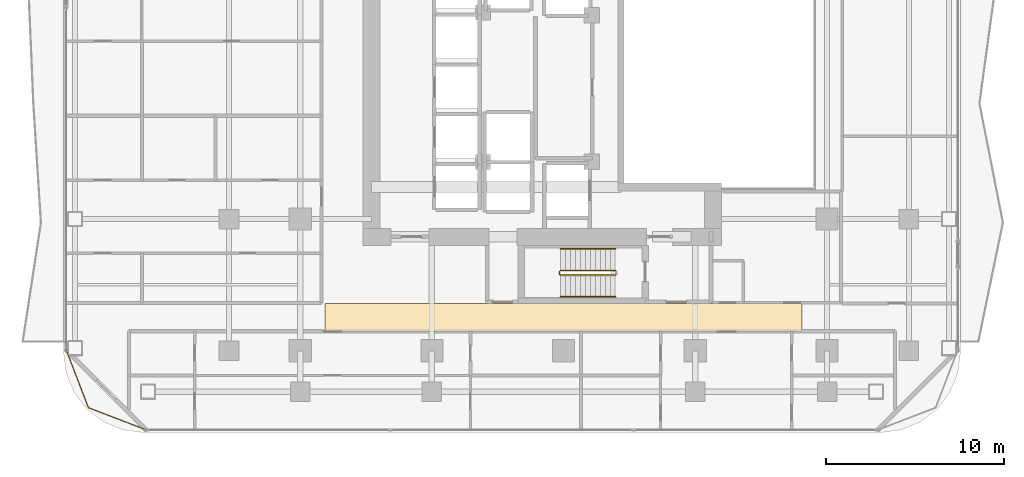
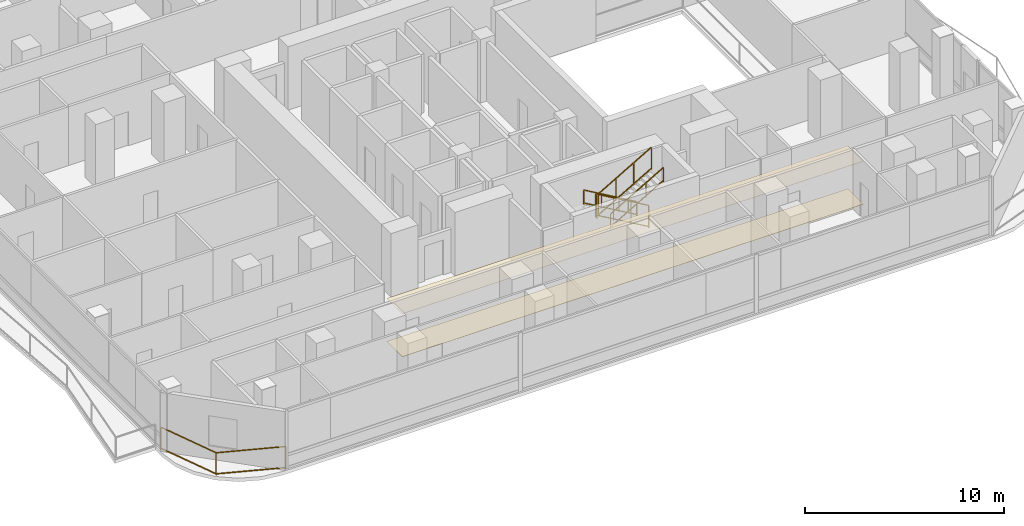
# One storey, part 25 of 28: 6 railings, 2 coverings.
"""IFC4 building model written with IfcOpenShell, lengths in metres."""

import ifcopenshell
import ifcopenshell.guid

model = None  # the IFC model being written
_history = None  # IfcOwnerHistory: only IFC2X3 demands one
_inside = {}  # id of a spatial element -> (the spatial element, [elements in it])
_under = {}  # id of a project, library or spatial element -> (it, [spatial elements below it])
_declared = {}  # id of a project -> (the project, [libraries it declares])
_typed = {}  # id of a type object -> (the type object, [elements of that type])
_made_of = {}  # id of a material, layer set ... -> (it, [elements and type objects made of it])


def new_model(schema):
    """Start an empty IFC model of exactly this schema.

    Asked for "IFC4X3", IfcOpenShell would pick the latest addendum, in which some entities
    have other attributes; the version numbers below select the first issue.
    IFC2X3 requires an IfcOwnerHistory on every rooted entity: one is made here for all.
    """
    global model, _history
    if schema == "IFC4X3":
        model = ifcopenshell.file(schema_version=(4, 3, 0, 0))
    else:
        model = ifcopenshell.file(schema=schema)
    _inside.clear()
    _under.clear()
    _declared.clear()
    _typed.clear()
    _made_of.clear()
    _history = None
    if model.schema == "IFC2X3":
        org = make("IfcOrganization", Name="unknown")
        user = make(
            "IfcPersonAndOrganization",
            ThePerson=make("IfcPerson", FamilyName="unknown"),
            TheOrganization=org,
        )
        app = make(
            "IfcApplication",
            ApplicationDeveloper=org,
            Version="unknown",
            ApplicationFullName="unknown",
            ApplicationIdentifier="unknown",
        )
        _history = make(
            "IfcOwnerHistory",
            OwningUser=user,
            OwningApplication=app,
            ChangeAction="ADDED",
            CreationDate=0,
        )
    return model


def make(cls, **values):
    """One entity of the class cls with the attributes given. An attribute that is None is left unset."""
    return model.create_entity(
        cls, **{name: value for name, value in values.items() if value is not None}
    )


def rooted(cls, **values):
    """An entity with a GlobalId (a new one), such as an element, a storey or a relation."""
    return make(cls, GlobalId=ifcopenshell.guid.new(), OwnerHistory=_history, **values)


def si_unit(unit_type, name, prefix=None):
    """IfcSIUnit, for example si_unit("LENGTHUNIT", "METRE", prefix="MILLI")."""
    return make("IfcSIUnit", UnitType=unit_type, Prefix=prefix, Name=name)


def assignment(units):
    """IfcUnitAssignment: the units of a project."""
    return None if units is None else make("IfcUnitAssignment", Units=units)


def point(xyz):
    """IfcCartesianPoint."""
    return None if xyz is None else make("IfcCartesianPoint", Coordinates=xyz)


def direction(xyz):
    """IfcDirection."""
    return None if xyz is None else make("IfcDirection", DirectionRatios=xyz)


def frame(location, z_axis=None, x_axis=None):
    """IfcAxis2Placement3D, a coordinate frame: its origin and axes. An axis left out is left unset."""
    return make(
        "IfcAxis2Placement3D",
        Location=point(location),
        Axis=direction(z_axis),
        RefDirection=direction(x_axis),
    )


def frame_2d(location, x_axis=None):
    """IfcAxis2Placement2D, a coordinate frame in the plane: its origin and x axis."""
    return make(
        "IfcAxis2Placement2D", Location=point(location), RefDirection=direction(x_axis)
    )


def origin():
    """The frame at (0, 0, 0) with its axes left unset."""
    return frame((0.0, 0.0, 0.0))


def origin_2d():
    """The frame at (0, 0) in the plane with its x axis left unset."""
    return frame_2d((0.0, 0.0))


def place(relative_to, where):
    """IfcLocalPlacement: puts the frame where relative to a parent placement (None: the world)."""
    return make(
        "IfcLocalPlacement", PlacementRelTo=relative_to, RelativePlacement=where
    )


def context(
    kind, dimensions, precision=None, world=None, true_north=None, identifier=None
):
    """IfcGeometricRepresentationContext, for example the 3D "Model" context."""
    return make(
        "IfcGeometricRepresentationContext",
        ContextIdentifier=identifier,
        ContextType=kind,
        CoordinateSpaceDimension=dimensions,
        Precision=precision,
        WorldCoordinateSystem=world,
        TrueNorth=true_north,
    )


def subcontext(parent, identifier, kind, view, scale=None):
    """IfcGeometricRepresentationSubContext, for example "Body" below "Model"."""
    return make(
        "IfcGeometricRepresentationSubContext",
        ContextIdentifier=identifier,
        ContextType=kind,
        ParentContext=parent,
        TargetScale=scale,
        TargetView=view,
    )


def project(units=None, contexts=None):
    """IfcProject with its units and contexts."""
    return rooted(
        "IfcProject",
        Name="project",
        RepresentationContexts=contexts,
        UnitsInContext=assignment(units),
    )


def spatial(cls, under=None, at=None, **own):
    """A site, building, storey or space (cls), placed at a placement, below another one or the project."""
    s = rooted(cls, ObjectPlacement=at, **own)
    if under is not None:
        _under.setdefault(under.id(), (under, []))[1].append(s)
    return s


def polyline(points):
    """IfcPolyline through the points."""
    return make("IfcPolyline", Points=[point(p) for p in points])


def profile(cls, at=None, kind="AREA", **sizes):
    """A parametric profile (cls). Its sizes go by their IFC names, for example OverallWidth=200.0."""
    return make(cls, ProfileType=kind, Position=at, **sizes)


def rectangle(**sizes):
    """IfcRectangleProfileDef."""
    return profile("IfcRectangleProfileDef", **sizes)


def outline(outer, holes=None, kind="AREA"):
    """IfcArbitraryClosedProfileDef: a profile drawn as a closed curve; with holes, ...WithVoids."""
    if holes is None:
        return make("IfcArbitraryClosedProfileDef", ProfileType=kind, OuterCurve=outer)
    return make(
        "IfcArbitraryProfileDefWithVoids",
        ProfileType=kind,
        OuterCurve=outer,
        InnerCurves=holes,
    )


def extrude(swept, where, along, depth):
    """IfcExtrudedAreaSolid: the profile swept, set in the frame where, extruded along a direction by depth."""
    return make(
        "IfcExtrudedAreaSolid",
        SweptArea=swept,
        Position=where,
        ExtrudedDirection=direction(along),
        Depth=depth,
    )


def shape(context_of_items, identifier, shape_type, items):
    """IfcShapeRepresentation: the items that make up one representation, for example the "Body"."""
    return make(
        "IfcShapeRepresentation",
        ContextOfItems=context_of_items,
        RepresentationIdentifier=identifier,
        RepresentationType=shape_type,
        Items=items,
    )


def material(Name=None, Category=None):
    """IfcMaterial."""
    return make("IfcMaterial", Name=Name, Category=Category)


def layer(
    of_material, thickness, ventilated=None, Name=None, Category=None, Priority=None
):
    """IfcMaterialLayer: one layer of a wall or slab, of a material (None: an air gap)."""
    return make(
        "IfcMaterialLayer",
        Material=of_material,
        LayerThickness=thickness,
        IsVentilated=ventilated,
        Name=Name,
        Category=Category,
        Priority=Priority,
    )


def layer_set(layers, Name=None):
    """IfcMaterialLayerSet."""
    return make("IfcMaterialLayerSet", MaterialLayers=layers, LayerSetName=Name)


def made_of(thing, what):
    """Note that an element or type object is made of a material, layer set ...; save() writes the relation."""
    if what is not None:
        _made_of.setdefault(what.id(), (what, []))[1].append(thing)
    return thing


def type_object(cls, material=None, **own):
    """A type object (cls), such as IfcWallType, which elements share."""
    return made_of(rooted(cls, **own), material)


def element(
    cls,
    number,
    at=None,
    inside=None,
    cuts=None,
    type_object=None,
    material=None,
    context=None,
    identifier="Body",
    shape_type=None,
    held_by="IfcProductDefinitionShape",
    body=None,
    shapes=None,
    **own,
):
    """One element of the class cls, such as IfcWall. Its Tag is "e" and its number.

    at: its placement. inside: the storey or other place that contains it. cuts: it is an
    opening in that element (IfcRelVoidsElement). A single representation is given by context,
    identifier, shape_type and body (its items); several are given by shapes. held_by: the class
    of the entity that holds the representations. save() writes the other relations.
    """
    e = rooted(cls, Tag="e%d" % number, ObjectPlacement=at, **own)
    if body is not None:
        shapes = [shape(context, identifier, shape_type, body)]
    if shapes is not None:
        e.Representation = make(held_by, Representations=shapes)
    if inside is not None:
        _inside.setdefault(inside.id(), (inside, []))[1].append(e)
    if cuts is not None:
        rooted(
            "IfcRelVoidsElement", RelatingBuildingElement=cuts, RelatedOpeningElement=e
        )
    if type_object is not None:
        _typed.setdefault(type_object.id(), (type_object, []))[1].append(e)
    return made_of(e, material)


def aggregate(whole, parts):
    """IfcRelAggregates: a whole, such as a stair, and the parts it consists of."""
    return rooted("IfcRelAggregates", RelatingObject=whole, RelatedObjects=parts)


def save(model, path):
    """Write the relations noted so far, then the file.

    IfcRelAggregates (storeys below a building ...), IfcRelContainedInSpatialStructure (elements
    in a storey), IfcRelDefinesByType, IfcRelAssociatesMaterial and IfcRelDeclares: one each for
    every whole, place, type object, material and project.
    """
    for whole, parts in _under.values():
        aggregate(whole, parts)
    for where, things in _inside.values():
        rooted(
            "IfcRelContainedInSpatialStructure",
            RelatedElements=things,
            RelatingStructure=where,
        )
    for kind, things in _typed.values():
        rooted("IfcRelDefinesByType", RelatedObjects=things, RelatingType=kind)
    for what, things in _made_of.values():
        rooted("IfcRelAssociatesMaterial", RelatedObjects=things, RelatingMaterial=what)
    for by, libraries in _declared.values():
        rooted("IfcRelDeclares", RelatingContext=by, RelatedDefinitions=libraries)
    model.write(path)


model = new_model("IFC4")

# Units and contexts
model_context = context("Model", 3, precision=1e-05, world=origin(), true_north=direction((0.0, 1.0)))
body_context = subcontext(model_context, "Body", "Model", "MODEL_VIEW")
ifc_project = project(units=[si_unit("LENGTHUNIT", "METRE"), si_unit("AREAUNIT", "SQUARE_METRE"), si_unit("VOLUMEUNIT", "CUBIC_METRE"), si_unit("PLANEANGLEUNIT", "RADIAN"), si_unit("MASSUNIT", "GRAM", prefix="KILO")], contexts=[model_context])

# Site, building, storey
site_placement = place(None, origin())
site = spatial("IfcSite", under=ifc_project, at=site_placement, CompositionType="ELEMENT")
building_placement = place(site_placement, origin())
building = spatial("IfcBuilding", under=site, at=building_placement, Name="Khorvyn Point Tower", CompositionType="ELEMENT")
storey_placement = place(building_placement, frame((0.0, 0.0, 104.699951171875)))
storey = spatial("IfcBuildingStorey", under=building, at=storey_placement, Name="L26", CompositionType="ELEMENT", Elevation=104.699951171875)

# Railing
ifc_material_1 = material(Name="Anodised aluminium 6063-T6 and laminated safety glass", Category="aluminium")
railing_type_1 = type_object("IfcRailingType", Name="Laminated Glass and Aluminium Balcony Guardrail 1400", PredefinedType="BALUSTRADE", material=ifc_material_1)
railing_1_placement = place(storey_placement, frame((-27.97412109375, -14.6708984375, 0.0)))
element("IfcRailing", 1, at=railing_1_placement, inside=storey, type_object=railing_type_1, Name="L26 Rounded Corner Edge Guardrail SW", PredefinedType="BALUSTRADE", context=body_context, shape_type="SweptSolid", body=[
    extrude(rectangle(XDim=0.048095703125, YDim=0.048095703125, at=origin_2d()), frame((0.0, 0.0, 1.3759765625), z_axis=(0.358441788428, -0.933552079055, 0.0), x_axis=(0.933552079055, 0.358441788428, 0.0)), (0.0, 0.0, 1.0), 3.56298828125),
    extrude(rectangle(XDim=0.048095703125, YDim=0.048095703125, at=origin_2d()), frame((0.0, 0.0, 0.080078125), z_axis=(0.358441788428, -0.933552079055, 0.0), x_axis=(0.933552079055, 0.358441788428, 0.0)), (0.0, 0.0, 1.0), 3.56298828125),
    extrude(rectangle(XDim=0.048095703125, YDim=0.048095703125, at=origin_2d()), frame((1.277099609375, -3.326171875, 1.3759765625), z_axis=(0.933575007025, -0.358382067435, 0.0), x_axis=(0.358382067435, 0.933575007025, 0.0)), (0.0, 0.0, 1.0), 3.562744140625),
    extrude(rectangle(XDim=0.048095703125, YDim=0.048095703125, at=origin_2d()), frame((1.277099609375, -3.326171875, 0.080078125), z_axis=(0.933575007025, -0.358382067435, 0.0), x_axis=(0.358382067435, 0.933575007025, 0.0)), (0.0, 0.0, 1.0), 3.562744140625),
    extrude(rectangle(XDim=0.0419921875, YDim=0.0419921875, at=origin_2d()), origin(), (0.0, 0.0, 1.0), 1.351806640625),
    extrude(rectangle(XDim=0.0419921875, YDim=0.0419921875, at=origin_2d()), frame((1.277099609375, -3.326171875, 0.0)), (0.0, 0.0, 1.0), 1.351806640625),
    extrude(rectangle(XDim=0.0419921875, YDim=0.0419921875, at=origin_2d()), frame((4.603271484375, -4.60302734375, 0.0)), (0.0, 0.0, 1.0), 1.351806640625),
])

# Coverings
ifc_material_2 = material(Name="Mineral-fibre acoustic ceiling board", Category="gypsum")
ifc_layer_1 = layer(ifc_material_2, 0.02001953125)
ifc_layer_set_1 = layer_set([ifc_layer_1], Name="Perforated Mineral-Fibre Acoustic Suspended Ceiling 20")
covering_type_1 = type_object("IfcCoveringType", Name="Perforated Mineral-Fibre Acoustic Suspended Ceiling 20", PredefinedType="CEILING", material=ifc_layer_set_1)
covering_1_placement = place(storey_placement, frame((0.0, 0.0, 2.64013671875)))
element("IfcCovering", 2, at=covering_1_placement, inside=storey, type_object=covering_type_1, Name="L26 South Corridor Acoustic Ceiling", PredefinedType="CEILING", context=body_context, shape_type="SweptSolid", body=[
    extrude(outline(polyline([(-13.39990234375, -13.7099609375), (13.39990234375, -13.7099609375), (13.39990234375, -12.139892578125), (-13.39990234375, -12.139892578125), (-13.39990234375, -13.7099609375)])), origin(), (0.0, 0.0, 1.0), 0.02001953125),
])
ifc_material_3 = material(Name="Vitrified porcelain terrazzo tile", Category="ceramic")
ifc_layer_2 = layer(ifc_material_3, 0.01806640625)
ifc_layer_set_2 = layer_set([ifc_layer_2], Name="Porcelain Terrazzo Corridor Floor Finish Tile 18")
covering_type_2 = type_object("IfcCoveringType", Name="Porcelain Terrazzo Corridor Floor Finish Tile 18", PredefinedType="FLOORING", material=ifc_layer_set_2)
covering_2_placement = place(storey_placement, origin())
element("IfcCovering", 3, at=covering_2_placement, inside=storey, type_object=covering_type_2, Name="L26 South Corridor Terrazzo Flooring", PredefinedType="FLOORING", context=body_context, shape_type="SweptSolid", body=[
    extrude(outline(polyline([(-13.39990234375, -13.7099609375), (13.39990234375, -13.7099609375), (13.39990234375, -12.139892578125), (-13.39990234375, -12.139892578125), (-13.39990234375, -13.7099609375)])), origin(), (0.0, 0.0, 1.0), 0.01806640625),
])

# Railings
ifc_material_4 = material(Name="Stainless steel 1.4301", Category="steel")
railing_type_2 = type_object("IfcRailingType", Name="Stainless Steel 304 Stair Pitch Handrail 900", PredefinedType="HANDRAIL", material=ifc_material_4)
railing_2_placement = place(storey_placement, frame((2.89990234375, -9.070068359375, 0.16259765625)))
element("IfcRailing", 4, at=railing_2_placement, inside=storey, type_object=railing_type_2, Name="L26 ST-01 stair handrail 1", PredefinedType="HANDRAIL", context=body_context, shape_type="SweptSolid", body=[
    extrude(rectangle(XDim=0.048095703125, YDim=0.048095703125, at=origin_2d()), frame((0.0, 0.0, 0.8759765625), z_axis=(-0.864903211148, 0.0, 0.501938676878), x_axis=(0.0, -1.0, 0.0)), (0.0, 0.0, 1.0), 3.560791015625),
    extrude(rectangle(XDim=0.048095703125, YDim=0.048095703125, at=origin_2d()), frame((0.0, 0.0, 0.080078125), z_axis=(-0.864903211148, 0.0, 0.501938676878), x_axis=(0.0, -1.0, 0.0)), (0.0, 0.0, 1.0), 3.560791015625),
    extrude(rectangle(XDim=0.0419921875, YDim=0.0419921875, at=origin_2d()), origin(), (0.0, 0.0, 1.0), 0.851806640625),
    extrude(rectangle(XDim=0.0419921875, YDim=0.0419921875, at=origin_2d()), frame((-1.026611328125, 0.0, 0.595703125)), (0.0, 0.0, 1.0), 0.851806640625),
    extrude(rectangle(XDim=0.0419921875, YDim=0.0419921875, at=origin_2d()), frame((-2.05322265625, 0.0, 1.191650390625)), (0.0, 0.0, 1.0), 0.851806640625),
    extrude(rectangle(XDim=0.0419921875, YDim=0.0419921875, at=origin_2d()), frame((-3.079833984375, 0.0, 1.787353515625)), (0.0, 0.0, 1.0), 0.851806640625),
])
railing_3_placement = place(storey_placement, frame((-0.179931640625, -11.77001953125, 2.112548828125)))
element("IfcRailing", 5, at=railing_3_placement, inside=storey, type_object=railing_type_2, Name="L26 ST-01 stair handrail 2", PredefinedType="HANDRAIL", context=body_context, shape_type="SweptSolid", body=[
    extrude(rectangle(XDim=0.048095703125, YDim=0.048095703125, at=origin_2d()), frame((0.0, 0.0, 0.8759765625), z_axis=(0.864873446163, 0.0, 0.501989962173), x_axis=(0.0, 1.0, 0.0)), (0.0, 0.0, 1.0), 3.56103515625),
    extrude(rectangle(XDim=0.048095703125, YDim=0.048095703125, at=origin_2d()), frame((0.0, 0.0, 0.080078125), z_axis=(0.864873446163, 0.0, 0.501989962173), x_axis=(0.0, 1.0, 0.0)), (0.0, 0.0, 1.0), 3.56103515625),
    extrude(rectangle(XDim=0.0419921875, YDim=0.0419921875, at=origin_2d()), origin(), (0.0, 0.0, 1.0), 0.851806640625),
    extrude(rectangle(XDim=0.0419921875, YDim=0.0419921875, at=origin_2d()), frame((1.026611328125, 0.0, 0.595947265625)), (0.0, 0.0, 1.0), 0.851806640625),
    extrude(rectangle(XDim=0.0419921875, YDim=0.0419921875, at=origin_2d()), frame((2.05322265625, 0.0, 1.191650390625)), (0.0, 0.0, 1.0), 0.851806640625),
    extrude(rectangle(XDim=0.0419921875, YDim=0.0419921875, at=origin_2d()), frame((3.079833984375, 0.0, 1.78759765625)), (0.0, 0.0, 1.0), 0.851806640625),
])
railing_type_3 = type_object("IfcRailingType", Name="Stainless Steel 304 Stair Well Guardrail 1400", PredefinedType="GUARDRAIL", material=ifc_material_4)
railing_4_placement = place(storey_placement, frame((2.89990234375, -10.2900390625, 0.16259765625)))
element("IfcRailing", 6, at=railing_4_placement, inside=storey, type_object=railing_type_3, Name="L26 ST-01 stair guard 1", PredefinedType="GUARDRAIL", context=body_context, shape_type="SweptSolid", body=[
    extrude(rectangle(XDim=0.048095703125, YDim=0.048095703125, at=origin_2d()), frame((0.0, 0.0, 1.3759765625), z_axis=(-0.864903211148, 0.0, 0.501938676878), x_axis=(0.0, -1.0, 0.0)), (0.0, 0.0, 1.0), 3.560791015625),
    extrude(rectangle(XDim=0.048095703125, YDim=0.048095703125, at=origin_2d()), frame((0.0, 0.0, 0.080078125), z_axis=(-0.864903211148, 0.0, 0.501938676878), x_axis=(0.0, -1.0, 0.0)), (0.0, 0.0, 1.0), 3.560791015625),
    extrude(rectangle(XDim=0.0419921875, YDim=0.0419921875, at=origin_2d()), origin(), (0.0, 0.0, 1.0), 1.351806640625),
    extrude(rectangle(XDim=0.0419921875, YDim=0.0419921875, at=origin_2d()), frame((-1.026611328125, 0.0, 0.595703125)), (0.0, 0.0, 1.0), 1.351806640625),
    extrude(rectangle(XDim=0.0419921875, YDim=0.0419921875, at=origin_2d()), frame((-2.05322265625, 0.0, 1.191650390625)), (0.0, 0.0, 1.0), 1.351806640625),
    extrude(rectangle(XDim=0.0419921875, YDim=0.0419921875, at=origin_2d()), frame((-3.079833984375, 0.0, 1.787353515625)), (0.0, 0.0, 1.0), 1.351806640625),
])
railing_5_placement = place(storey_placement, frame((-0.22998046875, -10.340087890625, 1.949951171875)))
element("IfcRailing", 7, at=railing_5_placement, inside=storey, type_object=railing_type_3, Name="L26 ST-01 stair guard 2", PredefinedType="GUARDRAIL", context=body_context, shape_type="SweptSolid", body=[
    extrude(rectangle(XDim=0.048095703125, YDim=0.048095703125, at=origin_2d()), frame((0.0, 0.0, 1.3759765625), z_axis=(0.0, -1.0, 0.0), x_axis=(1.0, 0.0, 0.0)), (0.0, 0.0, 1.0), 0.159912109375),
    extrude(rectangle(XDim=0.048095703125, YDim=0.048095703125, at=origin_2d()), frame((0.0, 0.0, 0.080078125), z_axis=(0.0, -1.0, 0.0), x_axis=(1.0, 0.0, 0.0)), (0.0, 0.0, 1.0), 0.159912109375),
    extrude(rectangle(XDim=0.0419921875, YDim=0.0419921875, at=origin_2d()), origin(), (0.0, 0.0, 1.0), 1.351806640625),
    extrude(rectangle(XDim=0.0419921875, YDim=0.0419921875, at=origin_2d()), frame((0.0, -0.159912109375, 0.0)), (0.0, 0.0, 1.0), 1.351806640625),
])
railing_6_placement = place(storey_placement, frame((-0.179931640625, -10.550048828125, 2.112548828125)))
element("IfcRailing", 8, at=railing_6_placement, inside=storey, type_object=railing_type_3, Name="L26 ST-01 stair guard 3", PredefinedType="GUARDRAIL", context=body_context, shape_type="SweptSolid", body=[
    extrude(rectangle(XDim=0.048095703125, YDim=0.048095703125, at=origin_2d()), frame((0.0, 0.0, 1.3759765625), z_axis=(0.864873446163, 0.0, 0.501989962173), x_axis=(0.0, 1.0, 0.0)), (0.0, 0.0, 1.0), 3.56103515625),
    extrude(rectangle(XDim=0.048095703125, YDim=0.048095703125, at=origin_2d()), frame((0.0, 0.0, 0.080078125), z_axis=(0.864873446163, 0.0, 0.501989962173), x_axis=(0.0, 1.0, 0.0)), (0.0, 0.0, 1.0), 3.56103515625),
    extrude(rectangle(XDim=0.0419921875, YDim=0.0419921875, at=origin_2d()), origin(), (0.0, 0.0, 1.0), 1.351806640625),
    extrude(rectangle(XDim=0.0419921875, YDim=0.0419921875, at=origin_2d()), frame((1.026611328125, 0.0, 0.595947265625)), (0.0, 0.0, 1.0), 1.351806640625),
    extrude(rectangle(XDim=0.0419921875, YDim=0.0419921875, at=origin_2d()), frame((2.05322265625, 0.0, 1.191650390625)), (0.0, 0.0, 1.0), 1.351806640625),
    extrude(rectangle(XDim=0.0419921875, YDim=0.0419921875, at=origin_2d()), frame((3.079833984375, 0.0, 1.78759765625)), (0.0, 0.0, 1.0), 1.351806640625),
])

save(model, "model.ifc")
